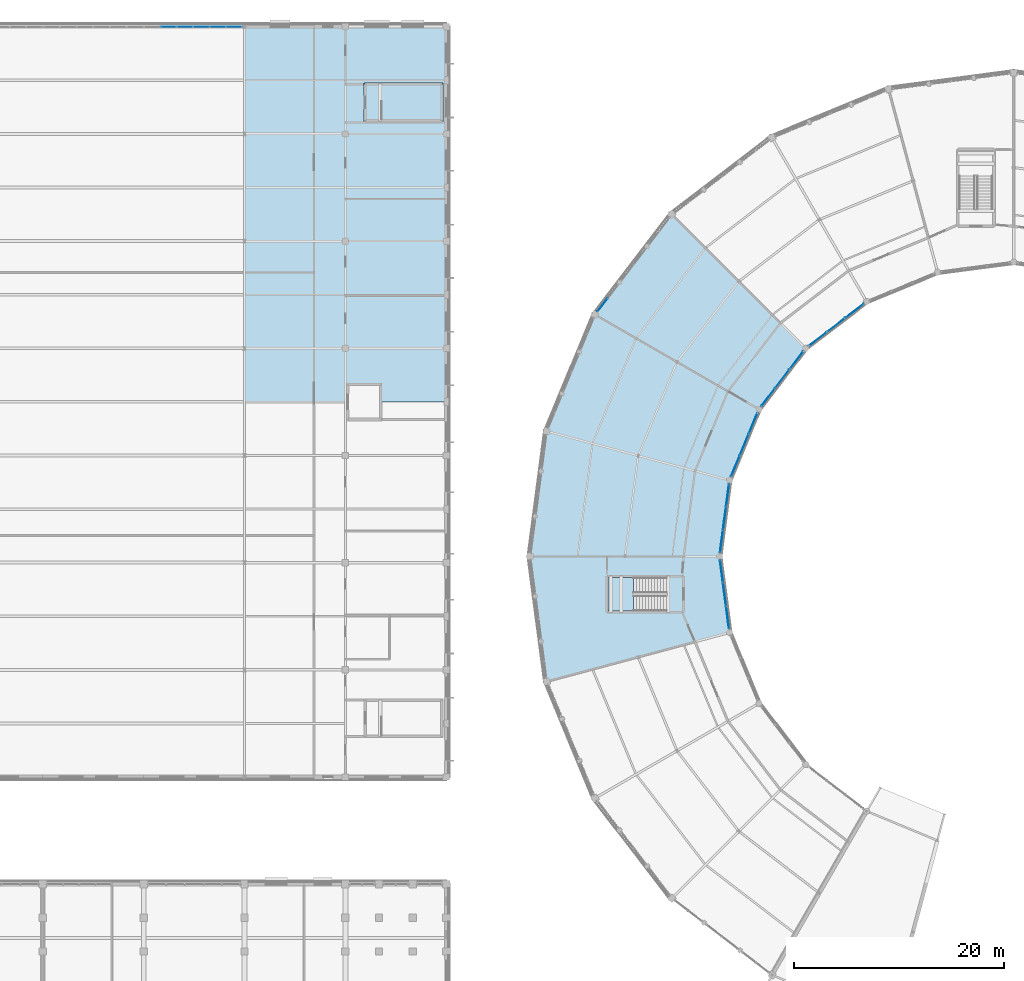
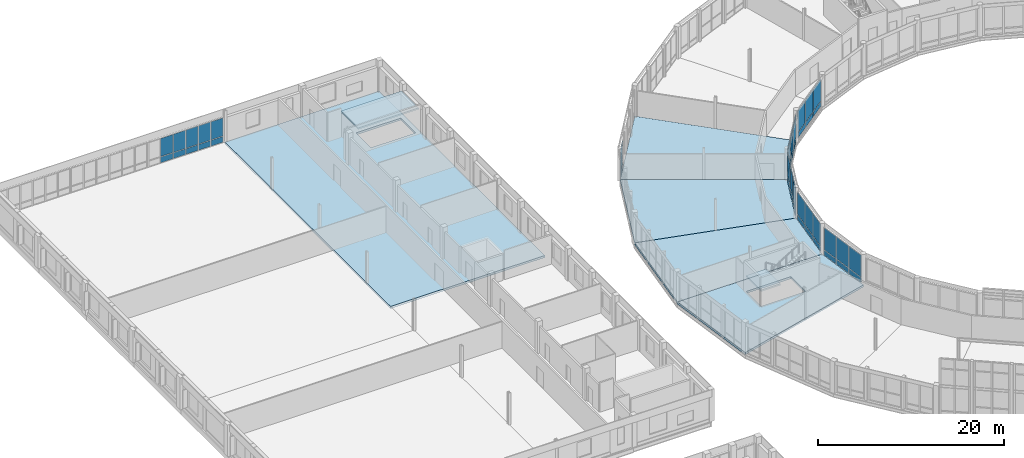
# One storey, part 140 of 185: 42 plates, 7 slabs, 8 elements without a shape of their own.
"""IFC4 building model written with IfcOpenShell, lengths in metres."""

from ifc_helpers import new_model, si_unit, direction, frame, origin, origin_2d, place, context, subcontext, project, spatial, polyline, rectangle, outline, extrude, material, layer, layer_set, type_object, element, aggregate, save


model = new_model("IFC4")

# Units and contexts
model_context = context("Model", 3, precision=1e-05, world=origin(), true_north=direction((0.0, 1.0)))
body_context = subcontext(model_context, "Body", "Model", "MODEL_VIEW")
ifc_project = project(units=[si_unit("LENGTHUNIT", "METRE"), si_unit("AREAUNIT", "SQUARE_METRE"), si_unit("VOLUMEUNIT", "CUBIC_METRE"), si_unit("PLANEANGLEUNIT", "RADIAN"), si_unit("MASSUNIT", "GRAM", prefix="KILO")], contexts=[model_context])

# Site, building, storey
site_placement = place(None, origin())
site = spatial("IfcSite", under=ifc_project, at=site_placement, CompositionType="ELEMENT")
building_placement = place(site_placement, origin())
building = spatial("IfcBuilding", under=site, at=building_placement, Name="Vondelvale Polytechnic", CompositionType="ELEMENT")
storey_placement = place(building_placement, frame((0.0, 0.0, 9.60009765625)))
storey = spatial("IfcBuildingStorey", under=building, at=storey_placement, Name="L02", CompositionType="ELEMENT", Elevation=9.60009765625)

# Curtain wall, plates
ifc_material_1 = material(Name="Anodised extruded aluminium 6063-T6", Category="aluminium")
curtain_wall_type_1 = type_object("IfcCurtainWallType", Name="CW-STUDIO-NORTH", PredefinedType="NOTDEFINED", material=ifc_material_1)
curtain_wall_1_placement = place(storey_placement, origin())
curtain_wall_1 = element("IfcCurtainWall", 1, at=curtain_wall_1_placement, inside=storey, type_object=curtain_wall_type_1, Name="L02 architectural curtain wall CW-01-006", PredefinedType="NOTDEFINED")
ifc_material_2 = material(Name="Double-glazed low-E insulated architectural glass", Category="glass")
ifc_layer_1 = layer(ifc_material_2, 0.028076171875)
ifc_layer_set_1 = layer_set([ifc_layer_1], Name="CW-PANEL-GLAZED")
plate_type_1 = type_object("IfcPlateType", Name="CW-PANEL-GLAZED", PredefinedType="CURTAIN_PANEL", material=ifc_layer_set_1)
plate_1_placement = place(storey_placement, frame((21.56298828125, 122.39990234375, 0.8798828125), z_axis=(0.0, 0.0, 1.0), x_axis=(1.0, 0.0, 0.0)))
plate_1 = element("IfcPlate", 2, at=plate_1_placement, type_object=plate_type_1, Name="CW-01-006 panel 2.2", PredefinedType="CURTAIN_PANEL", context=body_context, shape_type="SweptSolid", body=[
    extrude(rectangle(XDim=1.500244140625, YDim=0.028076171875, at=origin_2d()), origin(), (0.0, 0.0, 1.0), 2.3798828125),
])
plate_2_placement = place(storey_placement, frame((23.128173828125, 122.39990234375, 0.8798828125), z_axis=(0.0, 0.0, 1.0), x_axis=(1.0, 0.0, 0.0)))
plate_2 = element("IfcPlate", 3, at=plate_2_placement, type_object=plate_type_1, Name="CW-01-006 panel 3.2", PredefinedType="CURTAIN_PANEL", context=body_context, shape_type="SweptSolid", body=[
    extrude(rectangle(XDim=1.500244140625, YDim=0.028076171875, at=origin_2d()), origin(), (0.0, 0.0, 1.0), 2.3798828125),
])
plate_3_placement = place(storey_placement, frame((24.693359375, 122.39990234375, 0.8798828125), z_axis=(0.0, 0.0, 1.0), x_axis=(1.0, 0.0, 0.0)))
plate_3 = element("IfcPlate", 4, at=plate_3_placement, type_object=plate_type_1, Name="CW-01-006 panel 4.2", PredefinedType="CURTAIN_PANEL", context=body_context, shape_type="SweptSolid", body=[
    extrude(rectangle(XDim=1.500244140625, YDim=0.028076171875, at=origin_2d()), origin(), (0.0, 0.0, 1.0), 2.3798828125),
])
plate_4_placement = place(storey_placement, frame((26.258544921875, 122.39990234375, 0.8798828125), z_axis=(0.0, 0.0, 1.0), x_axis=(1.0, 0.0, 0.0)))
plate_4 = element("IfcPlate", 5, at=plate_4_placement, type_object=plate_type_1, Name="CW-01-006 panel 5.2", PredefinedType="CURTAIN_PANEL", context=body_context, shape_type="SweptSolid", body=[
    extrude(rectangle(XDim=1.500244140625, YDim=0.028076171875, at=origin_2d()), origin(), (0.0, 0.0, 1.0), 2.3798828125),
])
plate_5_placement = place(storey_placement, frame((27.8076171875, 122.39990234375, 0.8798828125), z_axis=(0.0, 0.0, 1.0), x_axis=(1.0, 0.0, 0.0)))
plate_5 = element("IfcPlate", 6, at=plate_5_placement, type_object=plate_type_1, Name="CW-01-006 panel 6.2", PredefinedType="CURTAIN_PANEL", context=body_context, shape_type="SweptSolid", body=[
    extrude(rectangle(XDim=1.4677734375, YDim=0.028076171875, at=origin_2d()), origin(), (0.0, 0.0, 1.0), 2.3798828125),
])

curtain_wall_type_2 = type_object("IfcCurtainWallType", Name="CW-RING-CLOISTER", PredefinedType="NOTDEFINED", material=ifc_material_1)
curtain_wall_2_placement = place(storey_placement, origin())
curtain_wall_2 = element("IfcCurtainWall", 7, at=curtain_wall_2_placement, inside=storey, type_object=curtain_wall_type_2, Name="L02 architectural curtain wall CW-03-198", PredefinedType="NOTDEFINED")
plate_6_placement = place(storey_placement, frame((86.845703125, 95.363037109375, 0.7822265625), z_axis=(0.0, 0.0, 1.0), x_axis=(-0.793363861089, -0.608747717793, 0.0)))
plate_6 = element("IfcPlate", 8, at=plate_6_placement, type_object=plate_type_1, Name="CW-03-198 panel 1.2", PredefinedType="CURTAIN_PANEL", context=body_context, shape_type="SweptSolid", body=[
    extrude(rectangle(XDim=2.1123046875, YDim=0.028076171875, at=origin_2d()), origin(), (0.0, 0.0, 1.0), 2.902587890625),
])
plate_7_placement = place(storey_placement, frame((85.1005859375, 94.02392578125, 0.7822265625), z_axis=(0.0, 0.0, 1.0), x_axis=(-0.793363861089, -0.608747717793, 0.0)))
plate_7 = element("IfcPlate", 9, at=plate_7_placement, type_object=plate_type_1, Name="CW-03-198 panel 2.2", PredefinedType="CURTAIN_PANEL", context=body_context, shape_type="SweptSolid", body=[
    extrude(rectangle(XDim=2.1474609375, YDim=0.028076171875, at=origin_2d()), origin(), (0.0, 0.0, 1.0), 2.902587890625),
])
plate_8_placement = place(storey_placement, frame((83.355224609375, 92.6845703125, 0.7822265625), z_axis=(0.0, 0.0, 1.0), x_axis=(-0.793363861089, -0.608747717793, 0.0)))
plate_8 = element("IfcPlate", 10, at=plate_8_placement, type_object=plate_type_1, Name="CW-03-198 panel 3.2", PredefinedType="CURTAIN_PANEL", context=body_context, shape_type="SweptSolid", body=[
    extrude(rectangle(XDim=2.1123046875, YDim=0.028076171875, at=origin_2d()), origin(), (0.0, 0.0, 1.0), 2.902587890625),
])

curtain_wall_3_placement = place(storey_placement, origin())
curtain_wall_3 = element("IfcCurtainWall", 11, at=curtain_wall_3_placement, inside=storey, type_object=curtain_wall_type_2, Name="L02 architectural curtain wall CW-03-217", PredefinedType="NOTDEFINED")
plate_9_placement = place(storey_placement, frame((81.3154296875, 90.644775390625, 0.7822265625), z_axis=(0.0, 0.0, 1.0), x_axis=(-0.608747717793, -0.793363861089, 0.0)))
plate_9 = element("IfcPlate", 12, at=plate_9_placement, type_object=plate_type_1, Name="CW-03-217 panel 1.2", PredefinedType="CURTAIN_PANEL", context=body_context, shape_type="SweptSolid", body=[
    extrude(rectangle(XDim=2.1123046875, YDim=0.028076171875, at=origin_2d()), origin(), (0.0, 0.0, 1.0), 2.902587890625),
])
plate_10_placement = place(storey_placement, frame((79.97607421875, 88.8994140625, 0.7822265625), z_axis=(0.0, 0.0, 1.0), x_axis=(-0.608747717793, -0.793363861089, 0.0)))
plate_10 = element("IfcPlate", 13, at=plate_10_placement, type_object=plate_type_1, Name="CW-03-217 panel 2.2", PredefinedType="CURTAIN_PANEL", context=body_context, shape_type="SweptSolid", body=[
    extrude(rectangle(XDim=2.1474609375, YDim=0.028076171875, at=origin_2d()), origin(), (0.0, 0.0, 1.0), 2.902587890625),
])
plate_11_placement = place(storey_placement, frame((78.636962890625, 87.154296875, 0.7822265625), z_axis=(0.0, 0.0, 1.0), x_axis=(-0.608747717793, -0.793363861089, 0.0)))
plate_11 = element("IfcPlate", 14, at=plate_11_placement, type_object=plate_type_1, Name="CW-03-217 panel 3.2", PredefinedType="CURTAIN_PANEL", context=body_context, shape_type="SweptSolid", body=[
    extrude(rectangle(XDim=2.1123046875, YDim=0.028076171875, at=origin_2d()), origin(), (0.0, 0.0, 1.0), 2.902587890625),
])

# Curtain wall, plate
ifc_material_3 = material(Name="Glulam GL18 structural Tasmanian oak (fb = 42 MPa)", Category="wood")
curtain_wall_type_3 = type_object("IfcCurtainWallType", Name="CW-RING-OUTER", PredefinedType="NOTDEFINED", material=ifc_material_3)
curtain_wall_4_placement = place(storey_placement, origin())
curtain_wall_4 = element("IfcCurtainWall", 15, at=curtain_wall_4_placement, inside=storey, type_object=curtain_wall_type_3, Name="L02 architectural curtain wall CW-04-220", PredefinedType="NOTDEFINED")
plate_12_placement = place(storey_placement, frame((62.87060546875, 95.92236328125, 0.780029296875), z_axis=(0.0, 0.0, 1.0), x_axis=(-0.608786860133, -0.793333825656, 0.0)))
plate_12 = element("IfcPlate", 16, at=plate_12_placement, type_object=plate_type_1, Name="CW-04-220 panel 2.2", PredefinedType="CURTAIN_PANEL", context=body_context, shape_type="SweptSolid", body=[
    extrude(rectangle(XDim=1.530029296875, YDim=0.028076171875, at=origin_2d()), origin(), (0.0, 0.0, 1.0), 2.8798828125),
])

# Curtain wall, plates
curtain_wall_5_placement = place(storey_placement, origin())
curtain_wall_5 = element("IfcCurtainWall", 17, at=curtain_wall_5_placement, inside=storey, type_object=curtain_wall_type_2, Name="L02 architectural curtain wall CW-03-233", PredefinedType="NOTDEFINED")
plate_13_placement = place(storey_placement, frame((77.194091796875, 84.655029296875, 0.7822265625), z_axis=(0.0, 0.0, 1.0), x_axis=(-0.382678531697, -0.923881562419, 0.0)))
plate_13 = element("IfcPlate", 18, at=plate_13_placement, type_object=plate_type_1, Name="CW-03-233 panel 1.2", PredefinedType="CURTAIN_PANEL", context=body_context, shape_type="SweptSolid", body=[
    extrude(rectangle(XDim=2.111572265625, YDim=0.028076171875, at=origin_2d()), origin(), (0.0, 0.0, 1.0), 2.902587890625),
])
plate_14_placement = place(storey_placement, frame((76.352783203125, 82.62353515625, 0.7822265625), z_axis=(0.0, 0.0, 1.0), x_axis=(-0.382678531697, -0.923881562419, 0.0)))
plate_14 = element("IfcPlate", 19, at=plate_14_placement, type_object=plate_type_1, Name="CW-03-233 panel 2.2", PredefinedType="CURTAIN_PANEL", context=body_context, shape_type="SweptSolid", body=[
    extrude(rectangle(XDim=2.146484375, YDim=0.028076171875, at=origin_2d()), origin(), (0.0, 0.0, 1.0), 2.902587890625),
])
plate_15_placement = place(storey_placement, frame((75.51123046875, 80.591796875, 0.7822265625), z_axis=(0.0, 0.0, 1.0), x_axis=(-0.382678531697, -0.923881562419, 0.0)))
plate_15 = element("IfcPlate", 20, at=plate_15_placement, type_object=plate_type_1, Name="CW-03-233 panel 3.2", PredefinedType="CURTAIN_PANEL", context=body_context, shape_type="SweptSolid", body=[
    extrude(rectangle(XDim=2.111572265625, YDim=0.028076171875, at=origin_2d()), origin(), (0.0, 0.0, 1.0), 2.902587890625),
])

curtain_wall_6_placement = place(storey_placement, origin())
curtain_wall_6 = element("IfcCurtainWall", 21, at=curtain_wall_6_placement, inside=storey, type_object=curtain_wall_type_2, Name="L02 architectural curtain wall CW-03-248", PredefinedType="NOTDEFINED")
plate_16_placement = place(storey_placement, frame((74.76416015625, 77.804443359375, 0.7822265625), z_axis=(0.0, 0.0, 1.0), x_axis=(-0.130528007165, -0.99144462243, 0.0)))
plate_16 = element("IfcPlate", 22, at=plate_16_placement, type_object=plate_type_1, Name="CW-03-248 panel 1.2", PredefinedType="CURTAIN_PANEL", context=body_context, shape_type="SweptSolid", body=[
    extrude(rectangle(XDim=2.1123046875, YDim=0.028076171875, at=origin_2d()), origin(), (0.0, 0.0, 1.0), 2.902587890625),
])
plate_17_placement = place(storey_placement, frame((74.47705078125, 75.62353515625, 0.7822265625), z_axis=(0.0, 0.0, 1.0), x_axis=(-0.130528007165, -0.99144462243, 0.0)))
plate_17 = element("IfcPlate", 23, at=plate_17_placement, type_object=plate_type_1, Name="CW-03-248 panel 2.2", PredefinedType="CURTAIN_PANEL", context=body_context, shape_type="SweptSolid", body=[
    extrude(rectangle(XDim=2.1474609375, YDim=0.028076171875, at=origin_2d()), origin(), (0.0, 0.0, 1.0), 2.902587890625),
])
plate_18_placement = place(storey_placement, frame((74.18994140625, 73.4423828125, 0.7822265625), z_axis=(0.0, 0.0, 1.0), x_axis=(-0.130528007165, -0.99144462243, 0.0)))
plate_18 = element("IfcPlate", 24, at=plate_18_placement, type_object=plate_type_1, Name="CW-03-248 panel 3.2", PredefinedType="CURTAIN_PANEL", context=body_context, shape_type="SweptSolid", body=[
    extrude(rectangle(XDim=2.1123046875, YDim=0.028076171875, at=origin_2d()), origin(), (0.0, 0.0, 1.0), 2.902587890625),
])

curtain_wall_7_placement = place(storey_placement, origin())
curtain_wall_7 = element("IfcCurtainWall", 25, at=curtain_wall_7_placement, inside=storey, type_object=curtain_wall_type_2, Name="L02 architectural curtain wall CW-03-263", PredefinedType="NOTDEFINED")
plate_19_placement = place(storey_placement, frame((74.18994140625, 70.5576171875, 0.7822265625), z_axis=(0.0, 0.0, 1.0), x_axis=(0.130528007165, -0.99144462243, 0.0)))
plate_19 = element("IfcPlate", 26, at=plate_19_placement, type_object=plate_type_1, Name="CW-03-263 panel 1.2", PredefinedType="CURTAIN_PANEL", context=body_context, shape_type="SweptSolid", body=[
    extrude(rectangle(XDim=2.1123046875, YDim=0.028076171875, at=origin_2d()), origin(), (0.0, 0.0, 1.0), 2.902587890625),
])
plate_20_placement = place(storey_placement, frame((74.47705078125, 68.37646484375, 0.7822265625), z_axis=(0.0, 0.0, 1.0), x_axis=(0.130528007165, -0.99144462243, 0.0)))
plate_20 = element("IfcPlate", 27, at=plate_20_placement, type_object=plate_type_1, Name="CW-03-263 panel 2.2", PredefinedType="CURTAIN_PANEL", context=body_context, shape_type="SweptSolid", body=[
    extrude(rectangle(XDim=2.1474609375, YDim=0.028076171875, at=origin_2d()), origin(), (0.0, 0.0, 1.0), 2.902587890625),
])
plate_21_placement = place(storey_placement, frame((74.76416015625, 66.195556640625, 0.7822265625), z_axis=(0.0, 0.0, 1.0), x_axis=(0.130528007165, -0.99144462243, 0.0)))
plate_21 = element("IfcPlate", 28, at=plate_21_placement, type_object=plate_type_1, Name="CW-03-263 panel 3.2", PredefinedType="CURTAIN_PANEL", context=body_context, shape_type="SweptSolid", body=[
    extrude(rectangle(XDim=2.1123046875, YDim=0.028076171875, at=origin_2d()), origin(), (0.0, 0.0, 1.0), 2.902587890625),
])

# Plate
ifc_material_4 = material(Name="Engineered Tasmanian oak studio and bridge joinery")
ifc_layer_2 = layer(ifc_material_4, 0.0419921875)
ifc_layer_set_2 = layer_set([ifc_layer_2], Name="CW-PANEL-OAK")
plate_type_2 = type_object("IfcPlateType", Name="CW-PANEL-OAK", PredefinedType="CURTAIN_PANEL", material=ifc_layer_set_2)
plate_22_placement = place(storey_placement, frame((86.845703125, 95.363037109375, 0.06494140625), z_axis=(0.0, 0.0, 1.0), x_axis=(-0.793363861089, -0.608747717793, 0.0)))
plate_22 = element("IfcPlate", 29, at=plate_22_placement, type_object=plate_type_2, Name="CW-03-198 panel 1.1", PredefinedType="CURTAIN_PANEL", context=body_context, shape_type="SweptSolid", body=[
    extrude(rectangle(XDim=2.1123046875, YDim=0.0419921875, at=origin_2d()), origin(), (0.0, 0.0, 1.0), 0.652587890625),
])

plate_23_placement = place(storey_placement, frame((85.1005859375, 94.02392578125, 0.06494140625), z_axis=(0.0, 0.0, 1.0), x_axis=(-0.793363861089, -0.608747717793, 0.0)))
plate_23 = element("IfcPlate", 30, at=plate_23_placement, type_object=plate_type_2, Name="CW-03-198 panel 2.1", PredefinedType="CURTAIN_PANEL", context=body_context, shape_type="SweptSolid", body=[
    extrude(rectangle(XDim=2.1474609375, YDim=0.0419921875, at=origin_2d()), origin(), (0.0, 0.0, 1.0), 0.652587890625),
])

plate_24_placement = place(storey_placement, frame((83.355224609375, 92.6845703125, 0.06494140625), z_axis=(0.0, 0.0, 1.0), x_axis=(-0.793363861089, -0.608747717793, 0.0)))
plate_24 = element("IfcPlate", 31, at=plate_24_placement, type_object=plate_type_2, Name="CW-03-198 panel 3.1", PredefinedType="CURTAIN_PANEL", context=body_context, shape_type="SweptSolid", body=[
    extrude(rectangle(XDim=2.1123046875, YDim=0.0419921875, at=origin_2d()), origin(), (0.0, 0.0, 1.0), 0.652587890625),
])

aggregate(curtain_wall_2, [plate_22, plate_6, plate_23, plate_7, plate_24, plate_8])

plate_25_placement = place(storey_placement, frame((81.3154296875, 90.644775390625, 0.06494140625), z_axis=(0.0, 0.0, 1.0), x_axis=(-0.608747717793, -0.793363861089, 0.0)))
plate_25 = element("IfcPlate", 32, at=plate_25_placement, type_object=plate_type_2, Name="CW-03-217 panel 1.1", PredefinedType="CURTAIN_PANEL", context=body_context, shape_type="SweptSolid", body=[
    extrude(rectangle(XDim=2.1123046875, YDim=0.0419921875, at=origin_2d()), origin(), (0.0, 0.0, 1.0), 0.652587890625),
])

plate_26_placement = place(storey_placement, frame((79.97607421875, 88.8994140625, 0.06494140625), z_axis=(0.0, 0.0, 1.0), x_axis=(-0.608747717793, -0.793363861089, 0.0)))
plate_26 = element("IfcPlate", 33, at=plate_26_placement, type_object=plate_type_2, Name="CW-03-217 panel 2.1", PredefinedType="CURTAIN_PANEL", context=body_context, shape_type="SweptSolid", body=[
    extrude(rectangle(XDim=2.1474609375, YDim=0.0419921875, at=origin_2d()), origin(), (0.0, 0.0, 1.0), 0.652587890625),
])

plate_27_placement = place(storey_placement, frame((78.636962890625, 87.154296875, 0.06494140625), z_axis=(0.0, 0.0, 1.0), x_axis=(-0.608747717793, -0.793363861089, 0.0)))
plate_27 = element("IfcPlate", 34, at=plate_27_placement, type_object=plate_type_2, Name="CW-03-217 panel 3.1", PredefinedType="CURTAIN_PANEL", context=body_context, shape_type="SweptSolid", body=[
    extrude(rectangle(XDim=2.1123046875, YDim=0.0419921875, at=origin_2d()), origin(), (0.0, 0.0, 1.0), 0.652587890625),
])

aggregate(curtain_wall_3, [plate_25, plate_9, plate_26, plate_10, plate_27, plate_11])

plate_28_placement = place(storey_placement, frame((77.194091796875, 84.655029296875, 0.06494140625), z_axis=(0.0, 0.0, 1.0), x_axis=(-0.382678531697, -0.923881562419, 0.0)))
plate_28 = element("IfcPlate", 35, at=plate_28_placement, type_object=plate_type_2, Name="CW-03-233 panel 1.1", PredefinedType="CURTAIN_PANEL", context=body_context, shape_type="SweptSolid", body=[
    extrude(rectangle(XDim=2.111572265625, YDim=0.0419921875, at=origin_2d()), origin(), (0.0, 0.0, 1.0), 0.652587890625),
])

plate_29_placement = place(storey_placement, frame((76.352783203125, 82.62353515625, 0.06494140625), z_axis=(0.0, 0.0, 1.0), x_axis=(-0.382678531697, -0.923881562419, 0.0)))
plate_29 = element("IfcPlate", 36, at=plate_29_placement, type_object=plate_type_2, Name="CW-03-233 panel 2.1", PredefinedType="CURTAIN_PANEL", context=body_context, shape_type="SweptSolid", body=[
    extrude(rectangle(XDim=2.146484375, YDim=0.0419921875, at=origin_2d()), origin(), (0.0, 0.0, 1.0), 0.652587890625),
])

plate_30_placement = place(storey_placement, frame((75.51123046875, 80.591796875, 0.06494140625), z_axis=(0.0, 0.0, 1.0), x_axis=(-0.382678531697, -0.923881562419, 0.0)))
plate_30 = element("IfcPlate", 37, at=plate_30_placement, type_object=plate_type_2, Name="CW-03-233 panel 3.1", PredefinedType="CURTAIN_PANEL", context=body_context, shape_type="SweptSolid", body=[
    extrude(rectangle(XDim=2.111572265625, YDim=0.0419921875, at=origin_2d()), origin(), (0.0, 0.0, 1.0), 0.652587890625),
])

aggregate(curtain_wall_5, [plate_28, plate_13, plate_29, plate_14, plate_30, plate_15])

plate_31_placement = place(storey_placement, frame((74.76416015625, 77.804443359375, 0.06494140625), z_axis=(0.0, 0.0, 1.0), x_axis=(-0.130528007165, -0.99144462243, 0.0)))
plate_31 = element("IfcPlate", 38, at=plate_31_placement, type_object=plate_type_2, Name="CW-03-248 panel 1.1", PredefinedType="CURTAIN_PANEL", context=body_context, shape_type="SweptSolid", body=[
    extrude(rectangle(XDim=2.1123046875, YDim=0.0419921875, at=origin_2d()), origin(), (0.0, 0.0, 1.0), 0.652587890625),
])

plate_32_placement = place(storey_placement, frame((74.47705078125, 75.62353515625, 0.06494140625), z_axis=(0.0, 0.0, 1.0), x_axis=(-0.130528007165, -0.99144462243, 0.0)))
plate_32 = element("IfcPlate", 39, at=plate_32_placement, type_object=plate_type_2, Name="CW-03-248 panel 2.1", PredefinedType="CURTAIN_PANEL", context=body_context, shape_type="SweptSolid", body=[
    extrude(rectangle(XDim=2.1474609375, YDim=0.0419921875, at=origin_2d()), origin(), (0.0, 0.0, 1.0), 0.652587890625),
])

plate_33_placement = place(storey_placement, frame((74.18994140625, 73.4423828125, 0.06494140625), z_axis=(0.0, 0.0, 1.0), x_axis=(-0.130528007165, -0.99144462243, 0.0)))
plate_33 = element("IfcPlate", 40, at=plate_33_placement, type_object=plate_type_2, Name="CW-03-248 panel 3.1", PredefinedType="CURTAIN_PANEL", context=body_context, shape_type="SweptSolid", body=[
    extrude(rectangle(XDim=2.1123046875, YDim=0.0419921875, at=origin_2d()), origin(), (0.0, 0.0, 1.0), 0.652587890625),
])

aggregate(curtain_wall_6, [plate_31, plate_16, plate_32, plate_17, plate_33, plate_18])

plate_34_placement = place(storey_placement, frame((74.18994140625, 70.5576171875, 0.06494140625), z_axis=(0.0, 0.0, 1.0), x_axis=(0.130528007165, -0.99144462243, 0.0)))
plate_34 = element("IfcPlate", 41, at=plate_34_placement, type_object=plate_type_2, Name="CW-03-263 panel 1.1", PredefinedType="CURTAIN_PANEL", context=body_context, shape_type="SweptSolid", body=[
    extrude(rectangle(XDim=2.1123046875, YDim=0.0419921875, at=origin_2d()), origin(), (0.0, 0.0, 1.0), 0.652587890625),
])

plate_35_placement = place(storey_placement, frame((74.47705078125, 68.37646484375, 0.06494140625), z_axis=(0.0, 0.0, 1.0), x_axis=(0.130528007165, -0.99144462243, 0.0)))
plate_35 = element("IfcPlate", 42, at=plate_35_placement, type_object=plate_type_2, Name="CW-03-263 panel 2.1", PredefinedType="CURTAIN_PANEL", context=body_context, shape_type="SweptSolid", body=[
    extrude(rectangle(XDim=2.1474609375, YDim=0.0419921875, at=origin_2d()), origin(), (0.0, 0.0, 1.0), 0.652587890625),
])

plate_36_placement = place(storey_placement, frame((74.76416015625, 66.195556640625, 0.06494140625), z_axis=(0.0, 0.0, 1.0), x_axis=(0.130528007165, -0.99144462243, 0.0)))
plate_36 = element("IfcPlate", 43, at=plate_36_placement, type_object=plate_type_2, Name="CW-03-263 panel 3.1", PredefinedType="CURTAIN_PANEL", context=body_context, shape_type="SweptSolid", body=[
    extrude(rectangle(XDim=2.1123046875, YDim=0.0419921875, at=origin_2d()), origin(), (0.0, 0.0, 1.0), 0.652587890625),
])

aggregate(curtain_wall_7, [plate_34, plate_19, plate_35, plate_20, plate_36, plate_21])

ifc_material_5 = material(Name="Kiln-fired architectural terracotta", Category="masonry")
ifc_layer_3 = layer(ifc_material_5, 0.035888671875)
ifc_layer_set_3 = layer_set([ifc_layer_3], Name="CW-PANEL-SPANDREL")
plate_type_3 = type_object("IfcPlateType", Name="CW-PANEL-SPANDREL", PredefinedType="CURTAIN_PANEL", material=ifc_layer_set_3)
plate_37_placement = place(storey_placement, frame((21.56298828125, 122.39990234375, 0.06005859375), z_axis=(0.0, 0.0, 1.0), x_axis=(1.0, 0.0, 0.0)))
plate_37 = element("IfcPlate", 44, at=plate_37_placement, type_object=plate_type_3, Name="CW-01-006 panel 2.1", PredefinedType="CURTAIN_PANEL", context=body_context, shape_type="SweptSolid", body=[
    extrude(rectangle(XDim=1.500244140625, YDim=0.035888671875, at=origin_2d()), origin(), (0.0, 0.0, 1.0), 0.760009765625),
])

plate_38_placement = place(storey_placement, frame((23.128173828125, 122.39990234375, 0.06005859375), z_axis=(0.0, 0.0, 1.0), x_axis=(1.0, 0.0, 0.0)))
plate_38 = element("IfcPlate", 45, at=plate_38_placement, type_object=plate_type_3, Name="CW-01-006 panel 3.1", PredefinedType="CURTAIN_PANEL", context=body_context, shape_type="SweptSolid", body=[
    extrude(rectangle(XDim=1.500244140625, YDim=0.035888671875, at=origin_2d()), origin(), (0.0, 0.0, 1.0), 0.760009765625),
])

plate_39_placement = place(storey_placement, frame((24.693359375, 122.39990234375, 0.06005859375), z_axis=(0.0, 0.0, 1.0), x_axis=(1.0, 0.0, 0.0)))
plate_39 = element("IfcPlate", 46, at=plate_39_placement, type_object=plate_type_3, Name="CW-01-006 panel 4.1", PredefinedType="CURTAIN_PANEL", context=body_context, shape_type="SweptSolid", body=[
    extrude(rectangle(XDim=1.500244140625, YDim=0.035888671875, at=origin_2d()), origin(), (0.0, 0.0, 1.0), 0.760009765625),
])

plate_40_placement = place(storey_placement, frame((26.258544921875, 122.39990234375, 0.06005859375), z_axis=(0.0, 0.0, 1.0), x_axis=(1.0, 0.0, 0.0)))
plate_40 = element("IfcPlate", 47, at=plate_40_placement, type_object=plate_type_3, Name="CW-01-006 panel 5.1", PredefinedType="CURTAIN_PANEL", context=body_context, shape_type="SweptSolid", body=[
    extrude(rectangle(XDim=1.500244140625, YDim=0.035888671875, at=origin_2d()), origin(), (0.0, 0.0, 1.0), 0.760009765625),
])

plate_41_placement = place(storey_placement, frame((27.8076171875, 122.39990234375, 0.06005859375), z_axis=(0.0, 0.0, 1.0), x_axis=(1.0, 0.0, 0.0)))
plate_41 = element("IfcPlate", 48, at=plate_41_placement, type_object=plate_type_3, Name="CW-01-006 panel 6.1", PredefinedType="CURTAIN_PANEL", context=body_context, shape_type="SweptSolid", body=[
    extrude(rectangle(XDim=1.4677734375, YDim=0.035888671875, at=origin_2d()), origin(), (0.0, 0.0, 1.0), 0.760009765625),
])

aggregate(curtain_wall_1, [plate_37, plate_1, plate_38, plate_2, plate_39, plate_3, plate_40, plate_4, plate_41, plate_5])

plate_42_placement = place(storey_placement, frame((62.87060546875, 95.92236328125, 0.06005859375), z_axis=(0.0, 0.0, 1.0), x_axis=(-0.608786860133, -0.793333825656, 0.0)))
plate_42 = element("IfcPlate", 49, at=plate_42_placement, type_object=plate_type_3, Name="CW-04-220 panel 2.1", PredefinedType="CURTAIN_PANEL", context=body_context, shape_type="SweptSolid", body=[
    extrude(rectangle(XDim=1.530029296875, YDim=0.035888671875, at=origin_2d()), origin(), (0.0, 0.0, 1.0), 0.659912109375),
])

aggregate(curtain_wall_4, [plate_42, plate_12])

# Stair, slab
ifc_material_6 = material(Name="Concrete N40 (f'c = 40 MPa)", Category="concrete")
stair_type = type_object("IfcStairType", Name="STR-DOG-1500", PredefinedType="HALF_TURN_STAIR", material=ifc_material_6)
stair_placement = place(storey_placement, origin())
stair = element("IfcStair", 50, at=stair_placement, inside=storey, type_object=stair_type, Name="L02 ST-10", PredefinedType="HALF_TURN_STAIR")
ifc_layer_4 = layer(ifc_material_6, 0.199951171875)
ifc_layer_set_4 = layer_set([ifc_layer_4], Name="SLB-LANDING-200")
slab_type_1 = type_object("IfcSlabType", Name="SLB-LANDING-200", PredefinedType="LANDING", material=ifc_layer_set_4)
slab_1_placement = place(storey_placement, frame((0.0, 0.0, 1.89990234375)))
slab_1 = element("IfcSlab", 51, at=slab_1_placement, type_object=slab_type_1, Name="ST-10 landing 1", PredefinedType="LANDING", context=body_context, shape_type="SweptSolid", body=[
    extrude(outline(polyline([(65.81494140625, 70.0), (63.39990234375, 70.0), (63.39990234375, 66.800048828125), (65.81494140625, 66.800048828125), (65.81494140625, 70.0)])), origin(), (0.0, 0.0, 1.0), 0.199951171875),
])
aggregate(stair, [slab_1])

# Slabs
ifc_layer_5 = layer(ifc_material_6, 0.280029296875)
ifc_layer_set_5 = layer_set([ifc_layer_5], Name="SLB-LIBRARY-280")
slab_type_2 = type_object("IfcSlabType", Name="SLB-LIBRARY-280", PredefinedType="FLOOR", material=ifc_layer_set_5)
slab_2_placement = place(storey_placement, frame((0.0, 0.0, -0.280029296875)))
element("IfcSlab", 52, at=slab_2_placement, inside=storey, type_object=slab_type_2, Name="L02 circular ring sector 09 floor slab", PredefinedType="FLOOR", context=body_context, shape_type="SweptSolid", body=[
    extrude(outline(polyline([(82.200927734375, 91.799072265625), (69.47314453125, 104.52685546875), (62.162841796875, 95.0), (77.751220703125, 86.0), (82.200927734375, 91.799072265625)])), origin(), (0.0, 0.0, 1.0), 0.280029296875),
])
slab_3_placement = place(storey_placement, frame((0.0, 0.0, -0.280029296875)))
element("IfcSlab", 53, at=slab_3_placement, inside=storey, type_object=slab_type_2, Name="L02 circular ring sector 10 floor slab", PredefinedType="FLOOR", context=body_context, shape_type="SweptSolid", body=[
    extrude(outline(polyline([(77.751220703125, 86.0), (62.162841796875, 95.0), (57.5673828125, 83.90576171875), (74.9541015625, 79.246826171875), (77.751220703125, 86.0)])), origin(), (0.0, 0.0, 1.0), 0.280029296875),
])
slab_4_placement = place(storey_placement, frame((0.0, 0.0, -0.280029296875)))
element("IfcSlab", 54, at=slab_4_placement, inside=storey, type_object=slab_type_2, Name="L02 circular ring sector 11 floor slab", PredefinedType="FLOOR", context=body_context, shape_type="SweptSolid", body=[
    extrude(outline(polyline([(74.9541015625, 79.246826171875), (57.5673828125, 83.90576171875), (56.0, 72.0), (74.0, 72.0), (74.9541015625, 79.246826171875)])), origin(), (0.0, 0.0, 1.0), 0.280029296875),
])
slab_5_placement = place(storey_placement, frame((0.0, 0.0, -0.280029296875)))
element("IfcSlab", 55, at=slab_5_placement, inside=storey, type_object=slab_type_2, Name="L02 circular ring sector 12 floor slab", PredefinedType="FLOOR", context=body_context, shape_type="SweptSolid", body=[
    extrude(outline(polyline([(74.0, 72.0), (56.0, 72.0), (57.5673828125, 60.09423828125), (74.9541015625, 64.753173828125), (74.0, 72.0)]), holes=[polyline([(68.949951171875, 70.0), (63.39990234375, 70.0), (63.39990234375, 66.800048828125), (68.949951171875, 66.800048828125), (68.949951171875, 70.0)])]), origin(), (0.0, 0.0, 1.0), 0.280029296875),
])
ifc_layer_6 = layer(ifc_material_6, 0.199951171875)
ifc_layer_set_6 = layer_set([ifc_layer_6], Name="SLB-ROOF-200")
slab_type_3 = type_object("IfcSlabType", Name="SLB-ROOF-200", PredefinedType="ROOF", material=ifc_layer_set_6)
slab_6_placement = place(storey_placement, frame((0.0, 0.0, 3.14990234375)))
element("IfcSlab", 56, at=slab_6_placement, inside=storey, type_object=slab_type_3, Name="ST-02 stair bulkhead roof slab", PredefinedType="ROOF", context=body_context, shape_type="SweptSolid", body=[
    extrude(outline(polyline([(40.14990234375, 113.35009765625), (47.699951171875, 113.35009765625), (47.699951171875, 117.050048828125), (40.14990234375, 117.050048828125), (40.14990234375, 113.35009765625)])), origin(), (0.0, 0.0, 1.0), 0.199951171875),
])
ifc_layer_7 = layer(ifc_material_6, 0.300048828125)
ifc_layer_set_7 = layer_set([ifc_layer_7], Name="SLB-WORKSHOP-300")
slab_type_4 = type_object("IfcSlabType", Name="SLB-WORKSHOP-300", PredefinedType="FLOOR", material=ifc_layer_set_7)
slab_7_placement = place(storey_placement, frame((0.0, 0.0, -0.280029296875)))
element("IfcSlab", 57, at=slab_7_placement, inside=storey, type_object=slab_type_4, Name="L02 workshop support slab EN", PredefinedType="FLOOR", context=body_context, shape_type="SweptSolid", body=[
    extrude(outline(polyline([(28.800048828125, 86.699951171875), (48.0, 86.699951171875), (48.0, 122.39990234375), (28.800048828125, 122.39990234375), (28.800048828125, 86.699951171875)]), holes=[polyline([(41.89990234375, 113.60009765625), (47.449951171875, 113.60009765625), (47.449951171875, 116.800048828125), (41.89990234375, 116.800048828125), (41.89990234375, 113.60009765625)])]), origin(), (0.0, 0.0, 1.0), 0.280029296875),
])

save(model, "model.ifc")
